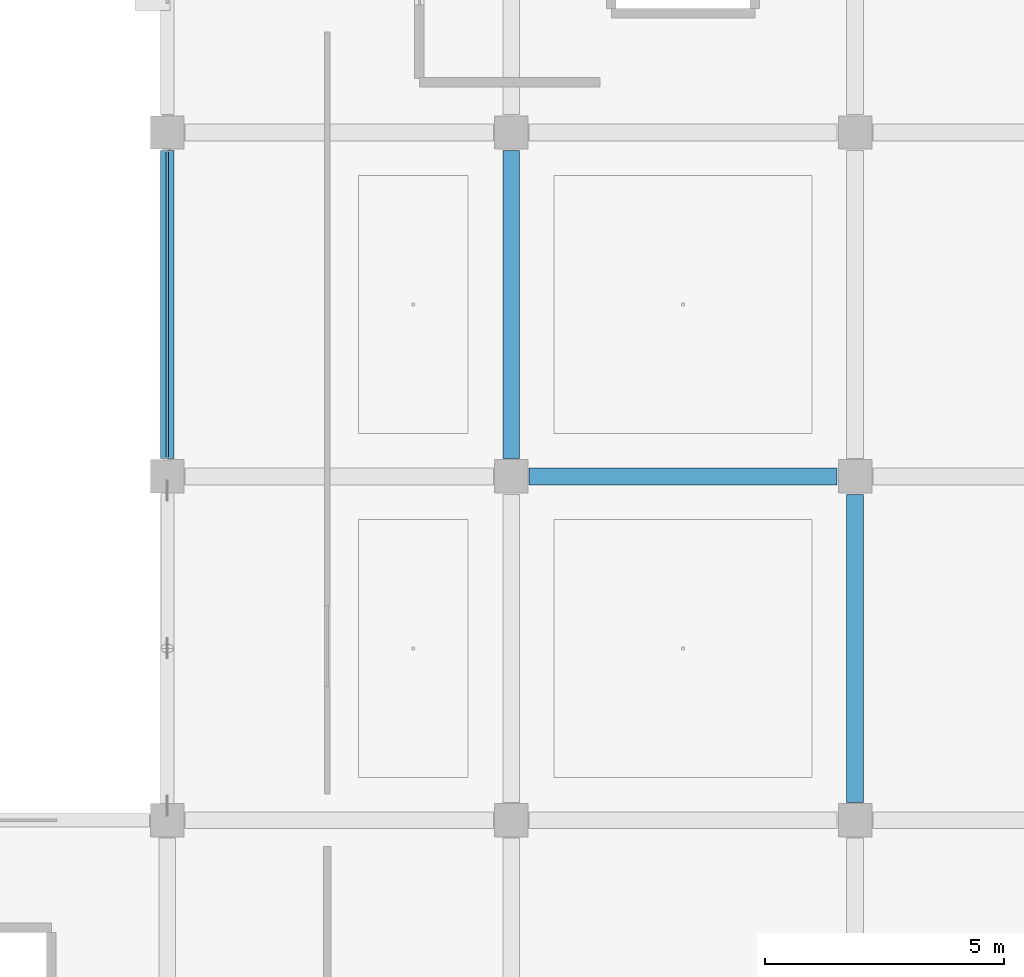
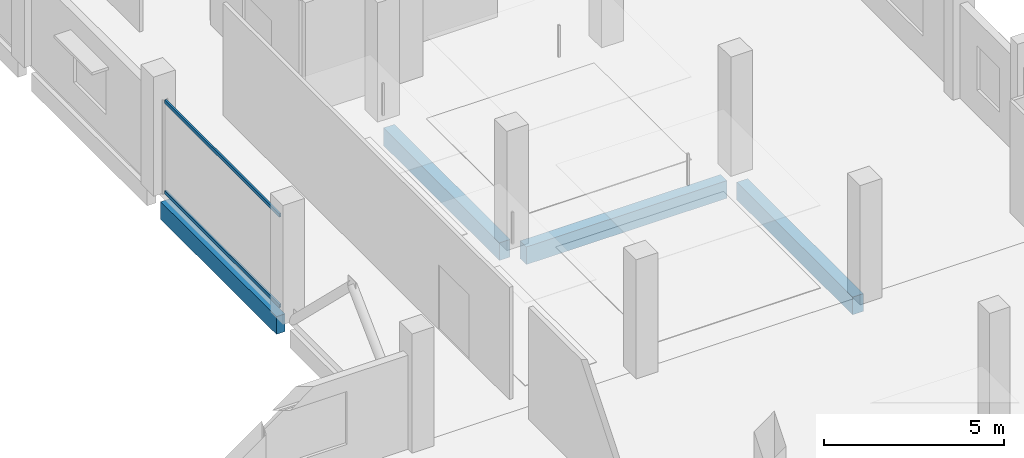
# One storey, part 38 of 91: 4 beams, 2 members, 1 element without a shape of its own.
"""IFC4 building model written with IfcOpenShell, lengths in metres."""

import ifcopenshell
import ifcopenshell.guid

model = None  # the IFC model being written
_history = None  # IfcOwnerHistory: only IFC2X3 demands one
_inside = {}  # id of a spatial element -> (the spatial element, [elements in it])
_under = {}  # id of a project, library or spatial element -> (it, [spatial elements below it])
_declared = {}  # id of a project -> (the project, [libraries it declares])
_typed = {}  # id of a type object -> (the type object, [elements of that type])
_made_of = {}  # id of a material, layer set ... -> (it, [elements and type objects made of it])


def new_model(schema):
    """Start an empty IFC model of exactly this schema.

    Asked for "IFC4X3", IfcOpenShell would pick the latest addendum, in which some entities
    have other attributes; the version numbers below select the first issue.
    IFC2X3 requires an IfcOwnerHistory on every rooted entity: one is made here for all.
    """
    global model, _history
    if schema == "IFC4X3":
        model = ifcopenshell.file(schema_version=(4, 3, 0, 0))
    else:
        model = ifcopenshell.file(schema=schema)
    _inside.clear()
    _under.clear()
    _declared.clear()
    _typed.clear()
    _made_of.clear()
    _history = None
    if model.schema == "IFC2X3":
        org = make("IfcOrganization", Name="unknown")
        user = make(
            "IfcPersonAndOrganization",
            ThePerson=make("IfcPerson", FamilyName="unknown"),
            TheOrganization=org,
        )
        app = make(
            "IfcApplication",
            ApplicationDeveloper=org,
            Version="unknown",
            ApplicationFullName="unknown",
            ApplicationIdentifier="unknown",
        )
        _history = make(
            "IfcOwnerHistory",
            OwningUser=user,
            OwningApplication=app,
            ChangeAction="ADDED",
            CreationDate=0,
        )
    return model


def make(cls, **values):
    """One entity of the class cls with the attributes given. An attribute that is None is left unset."""
    return model.create_entity(
        cls, **{name: value for name, value in values.items() if value is not None}
    )


def rooted(cls, **values):
    """An entity with a GlobalId (a new one), such as an element, a storey or a relation."""
    return make(cls, GlobalId=ifcopenshell.guid.new(), OwnerHistory=_history, **values)


def si_unit(unit_type, name, prefix=None):
    """IfcSIUnit, for example si_unit("LENGTHUNIT", "METRE", prefix="MILLI")."""
    return make("IfcSIUnit", UnitType=unit_type, Prefix=prefix, Name=name)


def assignment(units):
    """IfcUnitAssignment: the units of a project."""
    return None if units is None else make("IfcUnitAssignment", Units=units)


def point(xyz):
    """IfcCartesianPoint."""
    return None if xyz is None else make("IfcCartesianPoint", Coordinates=xyz)


def direction(xyz):
    """IfcDirection."""
    return None if xyz is None else make("IfcDirection", DirectionRatios=xyz)


def frame(location, z_axis=None, x_axis=None):
    """IfcAxis2Placement3D, a coordinate frame: its origin and axes. An axis left out is left unset."""
    return make(
        "IfcAxis2Placement3D",
        Location=point(location),
        Axis=direction(z_axis),
        RefDirection=direction(x_axis),
    )


def frame_2d(location, x_axis=None):
    """IfcAxis2Placement2D, a coordinate frame in the plane: its origin and x axis."""
    return make(
        "IfcAxis2Placement2D", Location=point(location), RefDirection=direction(x_axis)
    )


def origin():
    """The frame at (0, 0, 0) with its axes left unset."""
    return frame((0.0, 0.0, 0.0))


def origin_2d():
    """The frame at (0, 0) in the plane with its x axis left unset."""
    return frame_2d((0.0, 0.0))


def place(relative_to, where):
    """IfcLocalPlacement: puts the frame where relative to a parent placement (None: the world)."""
    return make(
        "IfcLocalPlacement", PlacementRelTo=relative_to, RelativePlacement=where
    )


def context(
    kind, dimensions, precision=None, world=None, true_north=None, identifier=None
):
    """IfcGeometricRepresentationContext, for example the 3D "Model" context."""
    return make(
        "IfcGeometricRepresentationContext",
        ContextIdentifier=identifier,
        ContextType=kind,
        CoordinateSpaceDimension=dimensions,
        Precision=precision,
        WorldCoordinateSystem=world,
        TrueNorth=true_north,
    )


def subcontext(parent, identifier, kind, view, scale=None):
    """IfcGeometricRepresentationSubContext, for example "Body" below "Model"."""
    return make(
        "IfcGeometricRepresentationSubContext",
        ContextIdentifier=identifier,
        ContextType=kind,
        ParentContext=parent,
        TargetScale=scale,
        TargetView=view,
    )


def project(units=None, contexts=None):
    """IfcProject with its units and contexts."""
    return rooted(
        "IfcProject",
        Name="project",
        RepresentationContexts=contexts,
        UnitsInContext=assignment(units),
    )


def spatial(cls, under=None, at=None, **own):
    """A site, building, storey or space (cls), placed at a placement, below another one or the project."""
    s = rooted(cls, ObjectPlacement=at, **own)
    if under is not None:
        _under.setdefault(under.id(), (under, []))[1].append(s)
    return s


def profile(cls, at=None, kind="AREA", **sizes):
    """A parametric profile (cls). Its sizes go by their IFC names, for example OverallWidth=200.0."""
    return make(cls, ProfileType=kind, Position=at, **sizes)


def rectangle(**sizes):
    """IfcRectangleProfileDef."""
    return profile("IfcRectangleProfileDef", **sizes)


def hollow_rectangle(**sizes):
    """IfcRectangleHollowProfileDef."""
    return profile("IfcRectangleHollowProfileDef", **sizes)


def extrude(swept, where, along, depth):
    """IfcExtrudedAreaSolid: the profile swept, set in the frame where, extruded along a direction by depth."""
    return make(
        "IfcExtrudedAreaSolid",
        SweptArea=swept,
        Position=where,
        ExtrudedDirection=direction(along),
        Depth=depth,
    )


def shape(context_of_items, identifier, shape_type, items):
    """IfcShapeRepresentation: the items that make up one representation, for example the "Body"."""
    return make(
        "IfcShapeRepresentation",
        ContextOfItems=context_of_items,
        RepresentationIdentifier=identifier,
        RepresentationType=shape_type,
        Items=items,
    )


def material(Name=None, Category=None):
    """IfcMaterial."""
    return make("IfcMaterial", Name=Name, Category=Category)


def layer(
    of_material, thickness, ventilated=None, Name=None, Category=None, Priority=None
):
    """IfcMaterialLayer: one layer of a wall or slab, of a material (None: an air gap)."""
    return make(
        "IfcMaterialLayer",
        Material=of_material,
        LayerThickness=thickness,
        IsVentilated=ventilated,
        Name=Name,
        Category=Category,
        Priority=Priority,
    )


def layer_set(layers, Name=None):
    """IfcMaterialLayerSet."""
    return make("IfcMaterialLayerSet", MaterialLayers=layers, LayerSetName=Name)


def material_profile(
    of_material, cross_section, Name=None, Category=None, Priority=None
):
    """IfcMaterialProfile: a cross section and its material."""
    return make(
        "IfcMaterialProfile",
        Name=Name,
        Material=of_material,
        Profile=cross_section,
        Priority=Priority,
        Category=Category,
    )


def profile_set(profiles, Name=None, composite=None):
    """IfcMaterialProfileSet."""
    return make(
        "IfcMaterialProfileSet",
        Name=Name,
        MaterialProfiles=profiles,
        CompositeProfile=composite,
    )


def made_of(thing, what):
    """Note that an element or type object is made of a material, layer set ...; save() writes the relation."""
    if what is not None:
        _made_of.setdefault(what.id(), (what, []))[1].append(thing)
    return thing


def type_object(cls, material=None, **own):
    """A type object (cls), such as IfcWallType, which elements share."""
    return made_of(rooted(cls, **own), material)


def element(
    cls,
    number,
    at=None,
    inside=None,
    cuts=None,
    type_object=None,
    material=None,
    context=None,
    identifier="Body",
    shape_type=None,
    held_by="IfcProductDefinitionShape",
    body=None,
    shapes=None,
    **own,
):
    """One element of the class cls, such as IfcWall. Its Tag is "e" and its number.

    at: its placement. inside: the storey or other place that contains it. cuts: it is an
    opening in that element (IfcRelVoidsElement). A single representation is given by context,
    identifier, shape_type and body (its items); several are given by shapes. held_by: the class
    of the entity that holds the representations. save() writes the other relations.
    """
    e = rooted(cls, Tag="e%d" % number, ObjectPlacement=at, **own)
    if body is not None:
        shapes = [shape(context, identifier, shape_type, body)]
    if shapes is not None:
        e.Representation = make(held_by, Representations=shapes)
    if inside is not None:
        _inside.setdefault(inside.id(), (inside, []))[1].append(e)
    if cuts is not None:
        rooted(
            "IfcRelVoidsElement", RelatingBuildingElement=cuts, RelatedOpeningElement=e
        )
    if type_object is not None:
        _typed.setdefault(type_object.id(), (type_object, []))[1].append(e)
    return made_of(e, material)


def aggregate(whole, parts):
    """IfcRelAggregates: a whole, such as a stair, and the parts it consists of."""
    return rooted("IfcRelAggregates", RelatingObject=whole, RelatedObjects=parts)


def save(model, path):
    """Write the relations noted so far, then the file.

    IfcRelAggregates (storeys below a building ...), IfcRelContainedInSpatialStructure (elements
    in a storey), IfcRelDefinesByType, IfcRelAssociatesMaterial and IfcRelDeclares: one each for
    every whole, place, type object, material and project.
    """
    for whole, parts in _under.values():
        aggregate(whole, parts)
    for where, things in _inside.values():
        rooted(
            "IfcRelContainedInSpatialStructure",
            RelatedElements=things,
            RelatingStructure=where,
        )
    for kind, things in _typed.values():
        rooted("IfcRelDefinesByType", RelatedObjects=things, RelatingType=kind)
    for what, things in _made_of.values():
        rooted("IfcRelAssociatesMaterial", RelatedObjects=things, RelatingMaterial=what)
    for by, libraries in _declared.values():
        rooted("IfcRelDeclares", RelatingContext=by, RelatedDefinitions=libraries)
    model.write(path)


model = new_model("IFC4")

# Units and contexts
model_context = context("Model", 3, precision=1e-05, world=origin(), true_north=direction((0.0, 1.0)))
body_context = subcontext(model_context, "Body", "Model", "MODEL_VIEW")
ifc_project = project(units=[si_unit("LENGTHUNIT", "METRE"), si_unit("AREAUNIT", "SQUARE_METRE"), si_unit("VOLUMEUNIT", "CUBIC_METRE"), si_unit("PLANEANGLEUNIT", "RADIAN"), si_unit("MASSUNIT", "GRAM", prefix="KILO")], contexts=[model_context])

# Site, building, storey
site_placement = place(None, origin())
site = spatial("IfcSite", under=ifc_project, at=site_placement, CompositionType="ELEMENT")
building_placement = place(site_placement, origin())
building = spatial("IfcBuilding", under=site, at=building_placement, Name="Kangsadwip Square Police Headquarters", CompositionType="ELEMENT")
storey_placement = place(building_placement, frame((0.0, 0.0, 13.5)))
storey = spatial("IfcBuildingStorey", under=building, at=storey_placement, Name="L03", CompositionType="ELEMENT", Elevation=13.5)

# Curtain wall, members
ifc_material_1 = material(Name="Thermally broken anodised aluminium AW-6063-T6", Category="aluminium")
ifc_layer = layer(ifc_material_1, 0.159912109375)
ifc_layer_set = layer_set([ifc_layer], Name="Thermally broken anodised aluminium AW-6063-T6")
curtain_wall_type = type_object("IfcCurtainWallType", Name="CourtScreen6510x3200", PredefinedType="USERDEFINED", material=ifc_layer_set)
curtain_wall_placement = place(storey_placement, origin())
curtain_wall = element("IfcCurtainWall", 1, at=curtain_wall_placement, inside=storey, type_object=curtain_wall_type, Name="Curtain Wall CW-L03-1440-0435", ObjectType="GLAZED_SCREEN", PredefinedType="USERDEFINED")
ifc_material_2 = material(Name="Thermally broken anodised aluminium AW-6063-T6", Category="aluminium")
ifc_material_profile_1 = material_profile(ifc_material_2, hollow_rectangle(XDim=0.06005859375, YDim=0.1201171875, WallThickness=0.00390625, at=origin_2d()), Name="CWT 120X60X4")
ifc_profile_set_1 = profile_set([ifc_material_profile_1], Name="Thermally broken anodised aluminium AW-6063-T6")
member_type = type_object("IfcMemberType", Name="CwTransom120x55", PredefinedType="USERDEFINED", material=ifc_profile_set_1)
member_1_placement = place(storey_placement, frame((144.0, 43.60498046875, 0.06005859375), z_axis=(0.0, 1.0, 0.0), x_axis=(-1.0, 0.0, 0.0)))
member_1 = element("IfcMember", 2, at=member_1_placement, type_object=member_type, Name="CW-19 transom 1.1", ObjectType="TRANSOM", PredefinedType="USERDEFINED", context=body_context, shape_type="SweptSolid", body=[
    extrude(hollow_rectangle(XDim=0.06005859375, YDim=0.1201171875, WallThickness=0.00390625, at=origin_2d()), origin(), (0.0, 0.0, 1.0), 6.39013671875),
])
member_2_placement = place(storey_placement, frame((144.0, 43.60498046875, 3.139892578125), z_axis=(0.0, 1.0, 0.0), x_axis=(-1.0, 0.0, 0.0)))
member_2 = element("IfcMember", 3, at=member_2_placement, type_object=member_type, Name="CW-19 transom 1.2", ObjectType="TRANSOM", PredefinedType="USERDEFINED", context=body_context, shape_type="SweptSolid", body=[
    extrude(hollow_rectangle(XDim=0.06005859375, YDim=0.1201171875, WallThickness=0.00390625, at=origin_2d()), origin(), (0.0, 0.0, 1.0), 6.39013671875),
])
aggregate(curtain_wall, [member_1, member_2])

# Beams
ifc_material_3 = material(Name="Concrete M35 (35 MPa)", Category="concrete")
ifc_material_profile_2 = material_profile(ifc_material_3, rectangle(XDim=0.35009765625, YDim=0.60009765625, at=origin_2d()), Name="RC BM 600X350")
ifc_profile_set_2 = profile_set([ifc_material_profile_2], Name="Concrete M35 (35 MPa)")
beam_type_1 = type_object("IfcBeamType", Name="RcBeam600x350", PredefinedType="BEAM", material=ifc_profile_set_2)
for number, where, z_axis, x_axis, name in (
    (4, (151.574951171875, 43.199951171875, -0.5400390625), (1.0, 0.0, 0.0), (0.0, 1.0, 0.0), "Beam BM-L03-X-21-06"),
    (5, (151.199951171875, 43.574951171875, -0.5400390625), (0.0, 1.0, 0.0), (-1.0, 0.0, 0.0), "Beam BM-L03-Y-21-06"),
    (6, (158.39990234375, 36.375, -0.5400390625), (0.0, 1.0, 0.0), (-1.0, 0.0, 0.0), "Beam BM-L03-Y-22-05"),
):
    element("IfcBeam", number, at=place(storey_placement, frame(where, z_axis=z_axis, x_axis=x_axis)), inside=storey, type_object=beam_type_1, Name=name, PredefinedType="BEAM", context=body_context, shape_type="SweptSolid", body=[
        extrude(rectangle(XDim=0.35009765625, YDim=0.60009765625, at=origin_2d()), origin(), (0.0, 0.0, 1.0), 6.449951171875),
    ])
ifc_material_4 = material(Name="Concrete M40 (40 MPa)", Category="concrete")
ifc_material_profile_3 = material_profile(ifc_material_4, rectangle(XDim=0.280029296875, YDim=0.60009765625, at=origin_2d()), Name="RC SPN 600X280")
ifc_profile_set_3 = profile_set([ifc_material_profile_3], Name="Concrete M40 (40 MPa)")
beam_type_2 = type_object("IfcBeamType", Name="RcSpandrel600x280", PredefinedType="SPANDREL", material=ifc_profile_set_3)
beam_placement = place(storey_placement, frame((144.0, 43.574951171875, -0.5400390625), z_axis=(0.0, 1.0, 0.0), x_axis=(-1.0, 0.0, 0.0)))
element("IfcBeam", 7, at=beam_placement, inside=storey, type_object=beam_type_2, Name="Beam BM-L03-Y-20-06", PredefinedType="SPANDREL", context=body_context, shape_type="SweptSolid", body=[
    extrude(rectangle(XDim=0.280029296875, YDim=0.60009765625, at=origin_2d()), origin(), (0.0, 0.0, 1.0), 6.449951171875),
])

save(model, "model.ifc")
